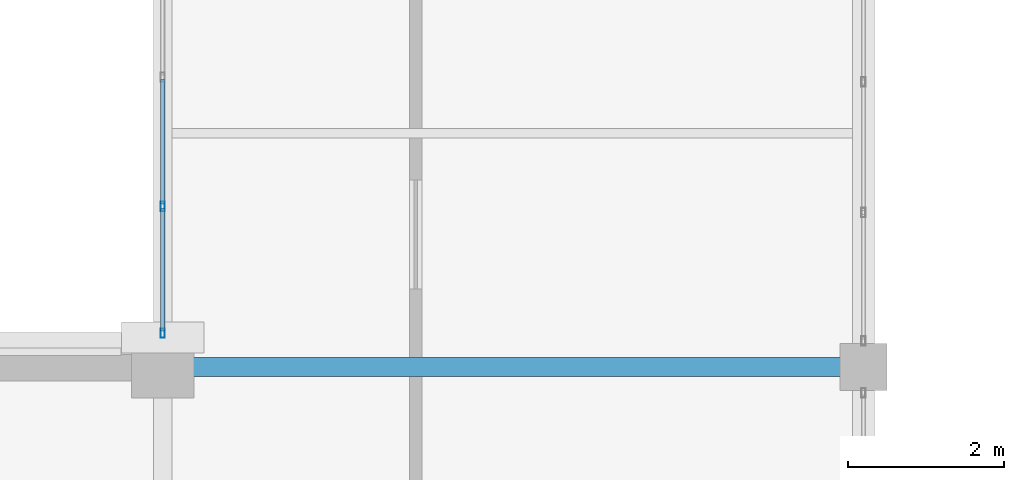
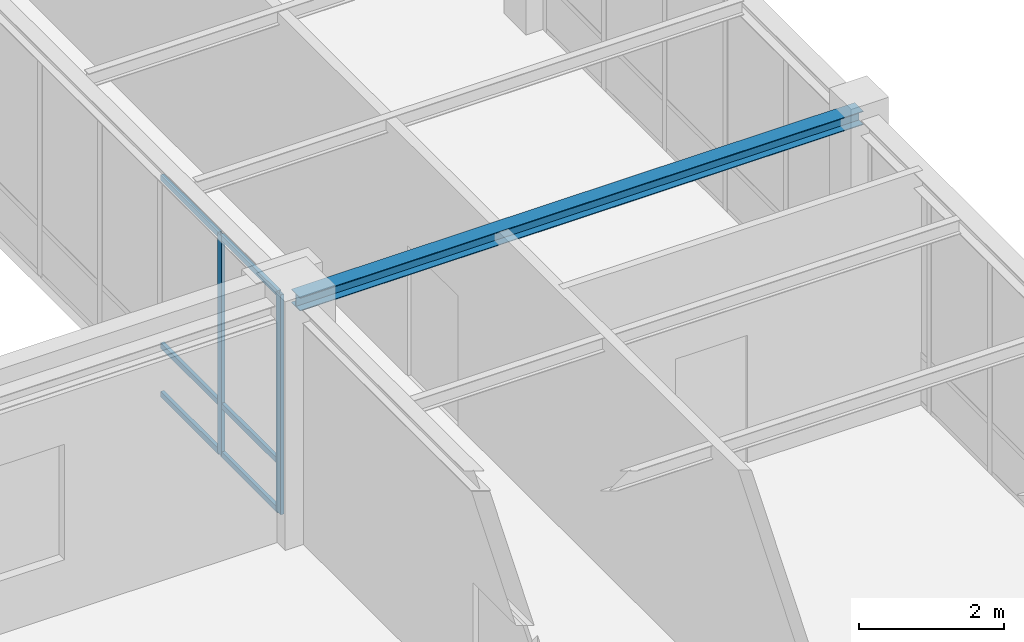
# One storey, part 26 of 97: 8 members, 1 beam, 1 element without a shape of its own.
"""IFC4 building model written with IfcOpenShell, lengths in metres."""

from ifc_helpers import new_model, si_unit, direction, frame, origin, origin_2d, place, context, subcontext, project, spatial, hollow_rectangle, i_section, extrude, material, material_profile, profile_set, type_object, element, aggregate, save


model = new_model("IFC4")

# Units and contexts
model_context = context("Model", 3, precision=1e-05, world=origin(), true_north=direction((0.0, 1.0)))
body_context = subcontext(model_context, "Body", "Model", "MODEL_VIEW")
ifc_project = project(units=[si_unit("LENGTHUNIT", "METRE"), si_unit("AREAUNIT", "SQUARE_METRE"), si_unit("VOLUMEUNIT", "CUBIC_METRE"), si_unit("PLANEANGLEUNIT", "RADIAN"), si_unit("MASSUNIT", "GRAM", prefix="KILO")], contexts=[model_context])

# Site, building, storey
site_placement = place(None, origin())
site = spatial("IfcSite", under=ifc_project, at=site_placement, CompositionType="ELEMENT")
building_placement = place(site_placement, origin())
building = spatial("IfcBuilding", under=site, at=building_placement, Name="Lykobir Media Centre", CompositionType="ELEMENT")
storey_placement = place(building_placement, frame((0.0, 0.0, 23.39990234375)))
storey = spatial("IfcBuildingStorey", under=building, at=storey_placement, Name="L05", CompositionType="ELEMENT", Elevation=23.39990234375)

# Curtain wall, members
ifc_material_1 = material(Name="Anodized Aluminium AW-6060", Category="aluminium")
curtain_wall_type = type_object("IfcCurtainWallType", Name="CW-COURT-B", PredefinedType="NOTDEFINED", material=ifc_material_1)
curtain_wall_placement = place(storey_placement, origin())
curtain_wall = element("IfcCurtainWall", 1, at=curtain_wall_placement, inside=storey, type_object=curtain_wall_type, Name="Curtain wall CW2-L05-0201", PredefinedType="NOTDEFINED")
ifc_material_profile_1 = material_profile(ifc_material_1, hollow_rectangle(XDim=0.054931640625, YDim=0.1201171875, WallThickness=0.003173828125, at=origin_2d()), Name="ALU MULLION 55x120")
ifc_profile_set_1 = profile_set([ifc_material_profile_1], Name="Anodized Aluminium AW-6060")
member_type_1 = type_object("IfcMemberType", Name="CWM-120", PredefinedType="MULLION", material=ifc_profile_set_1)
member_1_placement = place(storey_placement, frame((27.0, 45.4326171875, 0.0), z_axis=(0.0, 0.0, 1.0), x_axis=(-1.0, 0.0, 0.0)))
member_1 = element("IfcMember", 2, at=member_1_placement, type_object=member_type_1, Name="CW2-L05-0201 mullion 1", PredefinedType="MULLION", context=body_context, shape_type="SweptSolid", body=[
    extrude(hollow_rectangle(XDim=0.054931640625, YDim=0.1201171875, WallThickness=0.003173828125, at=origin_2d()), origin(), (0.0, 0.0, 1.0), 3.713134765625),
])
member_2_placement = place(storey_placement, frame((27.0, 47.06298828125, 0.0), z_axis=(0.0, 0.0, 1.0), x_axis=(-1.0, 0.0, 0.0)))
member_2 = element("IfcMember", 3, at=member_2_placement, type_object=member_type_1, Name="CW2-L05-0201 mullion 2", PredefinedType="MULLION", context=body_context, shape_type="SweptSolid", body=[
    extrude(hollow_rectangle(XDim=0.054931640625, YDim=0.1201171875, WallThickness=0.003173828125, at=origin_2d()), origin(), (0.0, 0.0, 1.0), 3.713134765625),
])
ifc_material_profile_2 = material_profile(ifc_material_1, hollow_rectangle(XDim=0.054931640625, YDim=0.094970703125, WallThickness=0.0029296875, at=origin_2d()), Name="ALU TRANSOM 55x95")
ifc_profile_set_2 = profile_set([ifc_material_profile_2], Name="Anodized Aluminium AW-6060")
member_type_2 = type_object("IfcMemberType", Name="CWT-095", PredefinedType="USERDEFINED", material=ifc_profile_set_2)
member_3_placement = place(storey_placement, frame((27.0, 45.4599609375, 0.027587890625), z_axis=(0.0, 1.0, 0.0), x_axis=(-1.0, 0.0, 0.0)))
member_3 = element("IfcMember", 4, at=member_3_placement, type_object=member_type_2, Name="CW2-L05-0201 transom 1.1", ObjectType="TRANSOM", PredefinedType="USERDEFINED", context=body_context, shape_type="SweptSolid", body=[
    extrude(hollow_rectangle(XDim=0.054931640625, YDim=0.094970703125, WallThickness=0.0029296875, at=origin_2d()), origin(), (0.0, 0.0, 1.0), 1.575439453125),
])
member_4_placement = place(storey_placement, frame((27.0, 45.4599609375, 0.85009765625), z_axis=(0.0, 1.0, 0.0), x_axis=(-1.0, 0.0, 0.0)))
member_4 = element("IfcMember", 5, at=member_4_placement, type_object=member_type_2, Name="CW2-L05-0201 transom 1.2", ObjectType="TRANSOM", PredefinedType="USERDEFINED", context=body_context, shape_type="SweptSolid", body=[
    extrude(hollow_rectangle(XDim=0.054931640625, YDim=0.094970703125, WallThickness=0.0029296875, at=origin_2d()), origin(), (0.0, 0.0, 1.0), 1.575439453125),
])
member_5_placement = place(storey_placement, frame((27.0, 45.4599609375, 3.685546875), z_axis=(0.0, 1.0, 0.0), x_axis=(-1.0, 0.0, 0.0)))
member_5 = element("IfcMember", 6, at=member_5_placement, type_object=member_type_2, Name="CW2-L05-0201 transom 1.3", ObjectType="TRANSOM", PredefinedType="USERDEFINED", context=body_context, shape_type="SweptSolid", body=[
    extrude(hollow_rectangle(XDim=0.054931640625, YDim=0.094970703125, WallThickness=0.0029296875, at=origin_2d()), origin(), (0.0, 0.0, 1.0), 1.575439453125),
])
member_6_placement = place(storey_placement, frame((27.0, 47.090576171875, 0.027587890625), z_axis=(0.0, 1.0, 0.0), x_axis=(-1.0, 0.0, 0.0)))
member_6 = element("IfcMember", 7, at=member_6_placement, type_object=member_type_2, Name="CW2-L05-0201 transom 2.1", ObjectType="TRANSOM", PredefinedType="USERDEFINED", context=body_context, shape_type="SweptSolid", body=[
    extrude(hollow_rectangle(XDim=0.054931640625, YDim=0.094970703125, WallThickness=0.0029296875, at=origin_2d()), origin(), (0.0, 0.0, 1.0), 1.60302734375),
])
member_7_placement = place(storey_placement, frame((27.0, 47.090576171875, 0.85009765625), z_axis=(0.0, 1.0, 0.0), x_axis=(-1.0, 0.0, 0.0)))
member_7 = element("IfcMember", 8, at=member_7_placement, type_object=member_type_2, Name="CW2-L05-0201 transom 2.2", ObjectType="TRANSOM", PredefinedType="USERDEFINED", context=body_context, shape_type="SweptSolid", body=[
    extrude(hollow_rectangle(XDim=0.054931640625, YDim=0.094970703125, WallThickness=0.0029296875, at=origin_2d()), origin(), (0.0, 0.0, 1.0), 1.60302734375),
])
member_8_placement = place(storey_placement, frame((27.0, 47.090576171875, 3.685546875), z_axis=(0.0, 1.0, 0.0), x_axis=(-1.0, 0.0, 0.0)))
member_8 = element("IfcMember", 9, at=member_8_placement, type_object=member_type_2, Name="CW2-L05-0201 transom 2.3", ObjectType="TRANSOM", PredefinedType="USERDEFINED", context=body_context, shape_type="SweptSolid", body=[
    extrude(hollow_rectangle(XDim=0.054931640625, YDim=0.094970703125, WallThickness=0.0029296875, at=origin_2d()), origin(), (0.0, 0.0, 1.0), 1.60302734375),
])
aggregate(curtain_wall, [member_1, member_2, member_3, member_4, member_5, member_6, member_7, member_8])

# Beam
ifc_material_2 = material(Name="Steel S355", Category="steel")
ifc_material_profile_3 = material_profile(ifc_material_2, i_section(OverallWidth=0.239990234375, OverallDepth=0.22998046875, WebThickness=0.007568359375, FlangeThickness=0.011962890625, at=origin_2d()), Name="HEA 240")
ifc_profile_set_3 = profile_set([ifc_material_profile_3], Name="Steel S355")
beam_type = type_object("IfcBeamType", Name="SP-HEA240", PredefinedType="SPANDREL", material=ifc_profile_set_3)
beam_placement = place(storey_placement, frame((27.0, 45.0, 3.84521484375), z_axis=(1.0, 0.0, 0.0), x_axis=(0.0, 1.0, 0.0)))
element("IfcBeam", 10, at=beam_placement, inside=storey, type_object=beam_type, Name="Beam BM-L05-0270-0450-0360-0450-2724", PredefinedType="SPANDREL", context=body_context, shape_type="SweptSolid", body=[
    extrude(i_section(OverallWidth=0.239990234375, OverallDepth=0.22998046875, WebThickness=0.007568359375, FlangeThickness=0.011962890625, at=origin_2d()), origin(), (0.0, 0.0, 1.0), 9.0),
])

save(model, "model.ifc")
